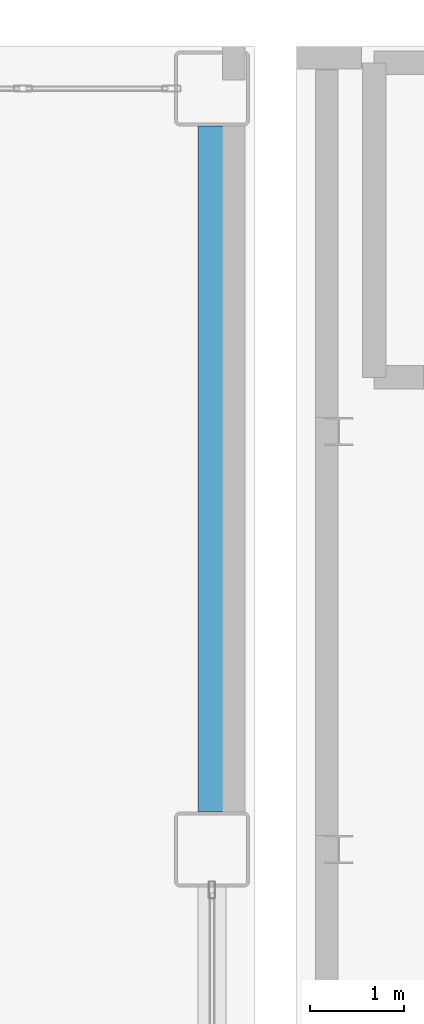
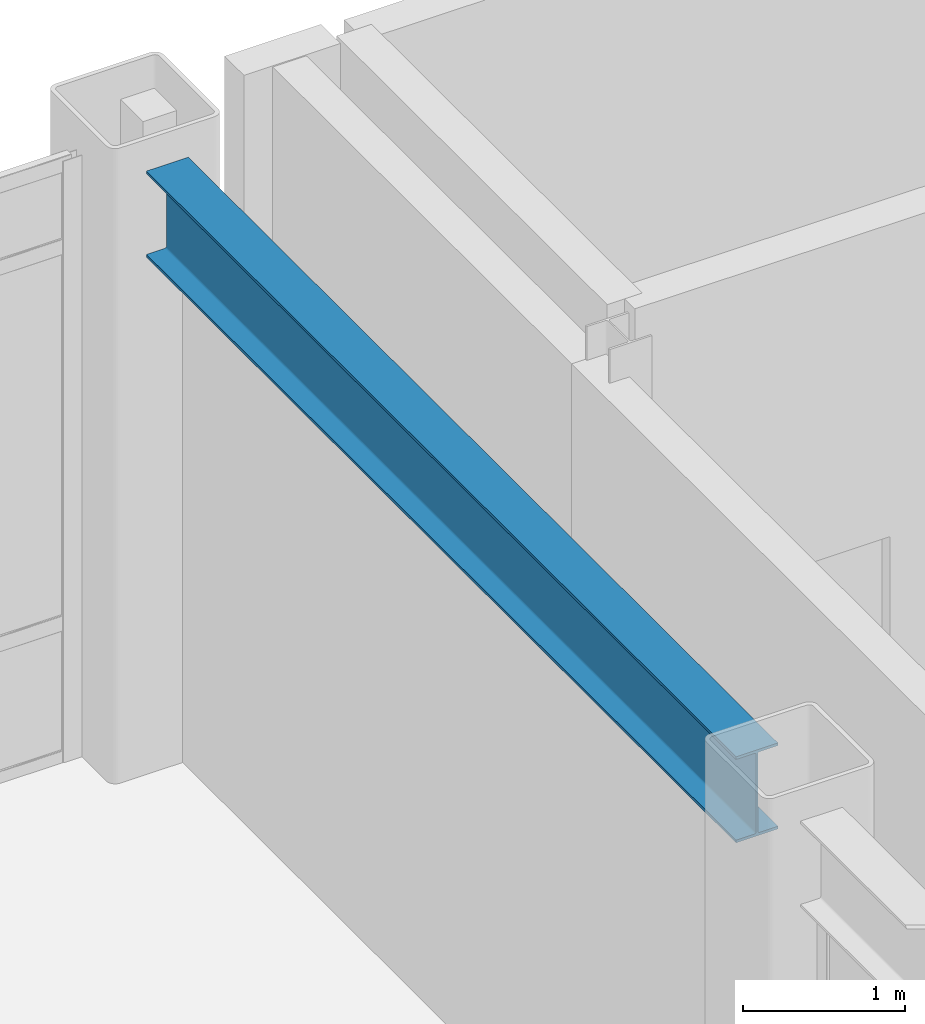
# One storey, part 71 of 154: 1 beam.
"""IFC4 building model written with IfcOpenShell, lengths in metres."""

from ifc_helpers import new_model, si_unit, direction, frame, origin, origin_2d, place, context, subcontext, project, spatial, i_section, extrude, material, material_profile, profile_set, type_object, element, save


model = new_model("IFC4")

# Units and contexts
model_context = context("Model", 3, precision=1e-05, world=origin(), true_north=direction((0.0, 1.0)))
body_context = subcontext(model_context, "Body", "Model", "MODEL_VIEW")
ifc_project = project(units=[si_unit("LENGTHUNIT", "METRE"), si_unit("AREAUNIT", "SQUARE_METRE"), si_unit("VOLUMEUNIT", "CUBIC_METRE"), si_unit("PLANEANGLEUNIT", "RADIAN"), si_unit("MASSUNIT", "GRAM", prefix="KILO")], contexts=[model_context])

# Site, building, storey
site_placement = place(None, origin())
site = spatial("IfcSite", under=ifc_project, at=site_placement, CompositionType="ELEMENT")
building_placement = place(site_placement, origin())
building = spatial("IfcBuilding", under=site, at=building_placement, Name="Kazehara Bluff Congress Hotel", CompositionType="ELEMENT")
storey_placement = place(building_placement, frame((0.0, 0.0, 10.199951171875)))
storey = spatial("IfcBuildingStorey", under=building, at=storey_placement, Name="L02", CompositionType="ELEMENT", Elevation=10.199951171875)

# Beam
ifc_material = material(Name="Steel SN490B", Category="steel")
ifc_material_profile = material_profile(ifc_material, i_section(OverallWidth=0.300048828125, OverallDepth=0.64990234375, WebThickness=0.011962890625, FlangeThickness=0.02001953125, FilletRadius=0.012939453125, at=origin_2d()))
ifc_profile_set = profile_set([ifc_material_profile], Name="Steel SN490B")
beam_type = type_object("IfcBeamType", Name="TP-G-03", PredefinedType="BEAM", material=ifc_profile_set)
beam_placement = place(storey_placement, frame((58.35009765625, 105.85009765625, 4.235107421875), z_axis=(0.0, 1.0, 0.0), x_axis=(-1.0, 0.0, 0.0)))
element("IfcBeam", 1, at=beam_placement, inside=storey, type_object=beam_type, Name="L02 girder G-03 24", PredefinedType="BEAM", context=body_context, shape_type="SweptSolid", body=[
    extrude(i_section(OverallWidth=0.300048828125, OverallDepth=0.64990234375, WebThickness=0.011962890625, FlangeThickness=0.02001953125, FilletRadius=0.012939453125, at=origin_2d()), origin(), (0.0, 0.0, 1.0), 7.2998046875),
])

save(model, "model.ifc")
